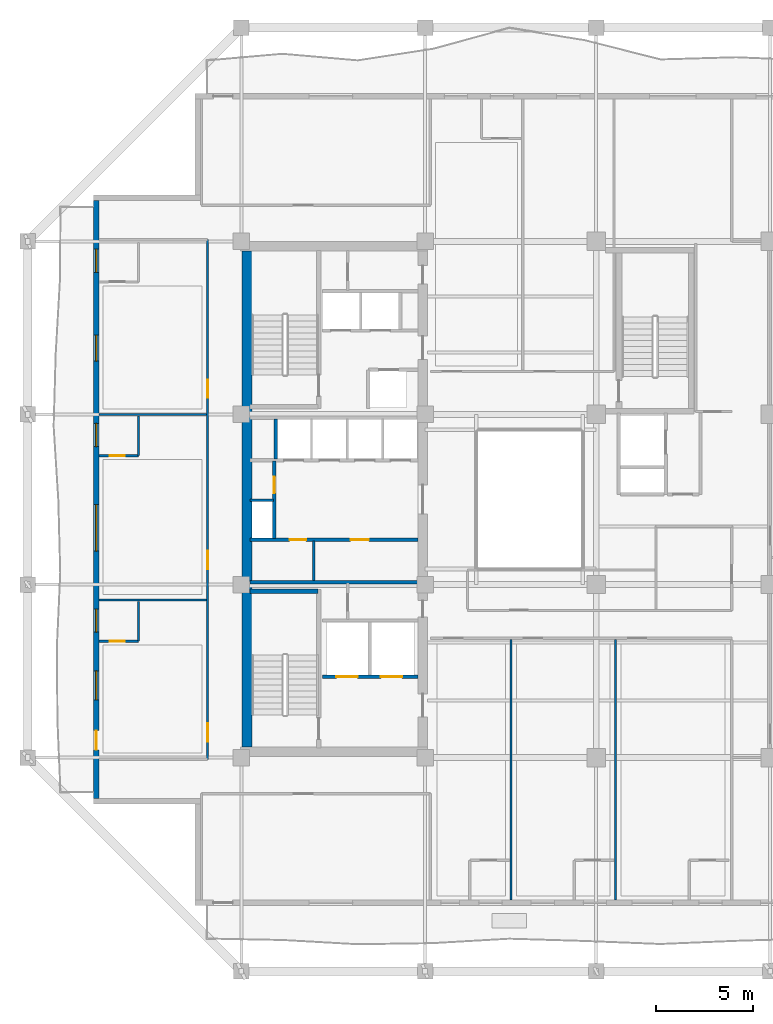
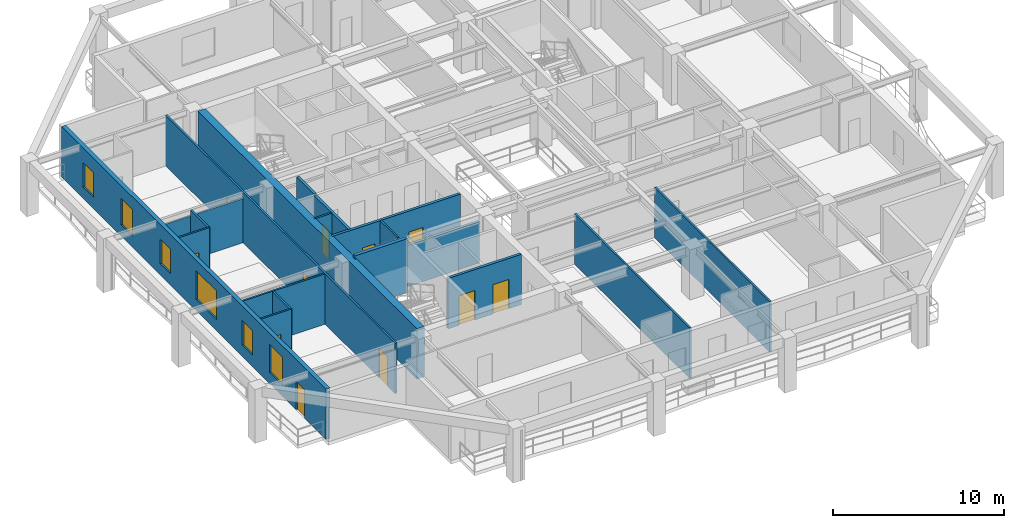
# One storey, part 3 of 13: 19 walls, 11 doors, 6 windows, 17 openings.
"""IFC4 building model written with IfcOpenShell, lengths in metres."""

from ifc_helpers import new_model, si_unit, direction, frame, frame_2d, origin, place, context, subcontext, project, spatial, rectangle, extrude, material, layer, layer_set, type_object, element, fill, save


model = new_model("IFC4")

# Units and contexts
model_context = context("Model", 3, precision=1e-05, world=origin(), true_north=direction((0.0, 1.0)))
body_context = subcontext(model_context, "Body", "Model", "MODEL_VIEW")
ifc_project = project(units=[si_unit("LENGTHUNIT", "METRE"), si_unit("AREAUNIT", "SQUARE_METRE"), si_unit("VOLUMEUNIT", "CUBIC_METRE"), si_unit("PLANEANGLEUNIT", "RADIAN"), si_unit("MASSUNIT", "GRAM", prefix="KILO")], contexts=[model_context])

# Site, building, storey
site_placement = place(None, origin())
site = spatial("IfcSite", under=ifc_project, at=site_placement, CompositionType="ELEMENT")
building_placement = place(site_placement, origin())
building = spatial("IfcBuilding", under=site, at=building_placement, Name="Kundavana Baori Tower", CompositionType="ELEMENT")
storey_placement = place(building_placement, frame((0.0, 0.0, 181.0)))
storey = spatial("IfcBuildingStorey", under=building, at=storey_placement, Name="L44", CompositionType="ELEMENT", Elevation=181.0)

# Walls
ifc_material_1 = material(Name="Concrete C50/60", Category="concrete")
ifc_layer_1 = layer(ifc_material_1, 0.39990234375, Name="WL-CORE-400")
ifc_layer_set_1 = layer_set([ifc_layer_1], Name="Concrete C50/60")
wall_type_1 = type_object("IfcWallType", Name="WL-CORE-400", PredefinedType="SHEAR", material=ifc_layer_set_1)
wall_1_placement = place(storey_placement, frame((15.89990234375, 23.860107421875, 0.0), z_axis=(0.0, 0.0, 1.0), x_axis=(1.0, 0.0, 0.0)))
element("IfcWall", 1, at=wall_1_placement, inside=storey, type_object=wall_type_1, Name="WL-L44-ST1-N", PredefinedType="SHEAR", context=body_context, shape_type="SweptSolid", body=[
    extrude(rectangle(XDim=3.52001953125, YDim=0.239990234375, at=frame_2d((1.760009765625, 0.0))), origin(), (0.0, 0.0, 1.0), 3.85009765625),
])
ifc_material_2 = material(Name="Concrete C50/60", Category="concrete")
ifc_layer_2 = layer(ifc_material_2, 0.5, Name="WL-CORE-500")
ifc_layer_set_2 = layer_set([ifc_layer_2], Name="Concrete C50/60")
wall_type_2 = type_object("IfcWallType", Name="WL-CORE-500", PredefinedType="SHEAR", material=ifc_layer_set_2)
wall_2_placement = place(storey_placement, frame((15.739990234375, 15.81005859375, 0.0), z_axis=(0.0, 0.0, 1.0), x_axis=(0.0, 1.0, 0.0)))
element("IfcWall", 2, at=wall_2_placement, inside=storey, type_object=wall_type_2, Name="L44 Offset Core West Shear Wall", PredefinedType="SHEAR", context=body_context, shape_type="SweptSolid", body=[
    extrude(rectangle(XDim=25.6298828125, YDim=0.5, at=frame_2d((12.81494140625, 0.0))), origin(), (0.0, 0.0, 1.0), 3.60009765625),
])

# Wall, openings, door, windows
ifc_material_3 = material(Name="Red-Buff Dholpur Sandstone Cladding on Concrete C40/50", Category="masonry")
ifc_layer_3 = layer(ifc_material_3, 0.280029296875, Name="WL-EXT-SAND-280")
ifc_layer_set_3 = layer_set([ifc_layer_3], Name="Red-Buff Dholpur Sandstone Cladding on Concrete C40/50")
wall_type_3 = type_object("IfcWallType", Name="WL-EXT-SAND-280", PredefinedType="STANDARD", material=ifc_layer_set_3)
wall_3_placement = place(storey_placement, frame((7.93994140625, 44.070068359375, 0.0), z_axis=(0.0, 0.0, 1.0), x_axis=(0.0, -1.0, 0.0)))
wall_3 = element("IfcWall", 3, at=wall_3_placement, inside=storey, type_object=wall_type_3, Name="L44 Exterior Insulated Facade Wall 10", PredefinedType="STANDARD", context=body_context, shape_type="SweptSolid", body=[
    extrude(rectangle(XDim=30.940185546875, YDim=0.280029296875, at=frame_2d((15.47021484375, 0.0))), origin(), (0.0, 0.0, 1.0), 3.60009765625),
])
opening_1_placement = place(wall_3_placement, frame((27.419921875, 0.0, 0.0)))
opening_1 = element("IfcOpeningElement", 4, at=opening_1_placement, cuts=wall_3, Name="Opening BD-1", PredefinedType="OPENING", context=body_context, shape_type="SweptSolid", body=[
    extrude(rectangle(XDim=1.0, YDim=2.050048828125, at=frame_2d((0.5, 1.02490234375))), frame((0.0, 0.14990234375, 0.0), z_axis=(0.0, -1.0, 0.0), x_axis=(1.0, 0.0, 0.0)), (0.0, 0.0, 1.0), 0.300048828125),
])
opening_2_placement = place(wall_3_placement, frame((24.330078125, 0.0, 0.800048828125)))
opening_2 = element("IfcOpeningElement", 5, at=opening_2_placement, cuts=wall_3, Name="Opening W-02", PredefinedType="OPENING", context=body_context, shape_type="SweptSolid", body=[
    extrude(rectangle(XDim=1.5, YDim=2.0, at=frame_2d((0.75, 1.0))), frame((0.0, 0.14990234375, 0.0), z_axis=(0.0, -1.0, 0.0), x_axis=(1.0, 0.0, 0.0)), (0.0, 0.0, 1.0), 0.300048828125),
])
opening_3_placement = place(wall_3_placement, frame((21.135009765625, 0.0, 0.800048828125)))
opening_3 = element("IfcOpeningElement", 6, at=opening_3_placement, cuts=wall_3, Name="Opening W-03", PredefinedType="OPENING", context=body_context, shape_type="SweptSolid", body=[
    extrude(rectangle(XDim=1.199951171875, YDim=1.75, at=frame_2d((0.60009765625, 0.875))), frame((0.0, 0.14990234375, 0.0), z_axis=(0.0, -1.0, 0.0), x_axis=(1.0, 0.0, 0.0)), (0.0, 0.0, 1.0), 0.300048828125),
])
opening_4_placement = place(wall_3_placement, frame((15.735107421875, 0.0, 0.800048828125)))
opening_4 = element("IfcOpeningElement", 7, at=opening_4_placement, cuts=wall_3, Name="Opening W-04", PredefinedType="OPENING", context=body_context, shape_type="SweptSolid", body=[
    extrude(rectangle(XDim=2.39990234375, YDim=2.050048828125, at=frame_2d((1.199951171875, 1.02490234375))), frame((0.0, 0.14990234375, 0.0), z_axis=(0.0, -1.0, 0.0), x_axis=(1.0, 0.0, 0.0)), (0.0, 0.0, 1.0), 0.300048828125),
])
opening_5_placement = place(wall_3_placement, frame((11.534912109375, 0.0, 0.800048828125)))
opening_5 = element("IfcOpeningElement", 8, at=opening_5_placement, cuts=wall_3, Name="Opening W-03", PredefinedType="OPENING", context=body_context, shape_type="SweptSolid", body=[
    extrude(rectangle(XDim=1.199951171875, YDim=1.75, at=frame_2d((0.60009765625, 0.875))), frame((0.0, 0.14990234375, 0.0), z_axis=(0.0, -1.0, 0.0), x_axis=(1.0, 0.0, 0.0)), (0.0, 0.0, 1.0), 0.300048828125),
])
opening_6_placement = place(wall_3_placement, frame((6.969970703125, 0.0, 0.800048828125)))
opening_6 = element("IfcOpeningElement", 9, at=opening_6_placement, cuts=wall_3, Name="Opening W-07", PredefinedType="OPENING", context=body_context, shape_type="SweptSolid", body=[
    extrude(rectangle(XDim=1.35009765625, YDim=1.89990234375, at=frame_2d((0.675048828125, 0.949951171875))), frame((0.0, 0.14990234375, 0.0), z_axis=(0.0, -1.0, 0.0), x_axis=(1.0, 0.0, 0.0)), (0.0, 0.0, 1.0), 0.300048828125),
])
opening_7_placement = place(wall_3_placement, frame((2.52490234375, 0.0, 0.800048828125)))
opening_7 = element("IfcOpeningElement", 10, at=opening_7_placement, cuts=wall_3, Name="Opening W-03", PredefinedType="OPENING", context=body_context, shape_type="SweptSolid", body=[
    extrude(rectangle(XDim=1.199951171875, YDim=1.75, at=frame_2d((0.60009765625, 0.875))), frame((0.0, 0.14990234375, 0.0), z_axis=(0.0, -1.0, 0.0), x_axis=(1.0, 0.0, 0.0)), (0.0, 0.0, 1.0), 0.300048828125),
])
ifc_material_4 = material(Name="Architectural Patinated Bronze Metalwork")
door_type_1 = type_object("IfcDoorType", Name="DR-EXT-LOG-1000", OperationType="NOTDEFINED", PredefinedType="DOOR", material=ifc_material_4)
door_1_placement = place(opening_1_placement, frame((1.0, 0.0, 0.0), z_axis=(0.0, 0.0, 1.0), x_axis=(-1.0, 0.0, 0.0)))
door_1 = element("IfcDoor", 11, at=door_1_placement, inside=storey, type_object=door_type_1, Name="L44 Loggia Balcony Access Door W", OperationType="SINGLE_SWING_RIGHT", OverallHeight=2.050048828125, OverallWidth=1.0, PredefinedType="DOOR", context=body_context, shape_type="SweptSolid", body=[
    extrude(rectangle(XDim=1.0, YDim=2.050048828125, at=frame_2d((0.5, 1.02490234375))), frame((0.0, 0.02490234375, 0.0), z_axis=(0.0, -1.0, 0.0), x_axis=(1.0, 0.0, 0.0)), (0.0, 0.0, 1.0), 0.050048828125),
])
fill(opening_1, door_1)
ifc_material_5 = material(Name="Double-Glazed Solar-Control Low-E Insulated Glass", Category="glass")
window_type_1 = type_object("IfcWindowType", Name="WIN-LOG-1200x1750", PartitioningType="SINGLE_PANEL", PredefinedType="WINDOW", material=ifc_material_5)
window_1_placement = place(opening_3_placement, origin())
window_1 = element("IfcWindow", 12, at=window_1_placement, inside=storey, type_object=window_type_1, Name="L44 Recessed Loggia Window W-2", OverallHeight=1.75, OverallWidth=1.199951171875, PartitioningType="SINGLE_PANEL", PredefinedType="WINDOW", context=body_context, shape_type="SweptSolid", body=[
    extrude(rectangle(XDim=1.199951171875, YDim=1.75, at=frame_2d((0.60009765625, 0.875))), frame((0.0, 0.030029296875, 0.0), z_axis=(0.0, -1.0, 0.0), x_axis=(1.0, 0.0, 0.0)), (0.0, 0.0, 1.0), 0.06005859375),
])
fill(opening_3, window_1)
window_2_placement = place(opening_5_placement, origin())
window_2 = element("IfcWindow", 13, at=window_2_placement, inside=storey, type_object=window_type_1, Name="L44 Recessed Loggia Window W-4", OverallHeight=1.75, OverallWidth=1.199951171875, PartitioningType="SINGLE_PANEL", PredefinedType="WINDOW", context=body_context, shape_type="SweptSolid", body=[
    extrude(rectangle(XDim=1.199951171875, YDim=1.75, at=frame_2d((0.60009765625, 0.875))), frame((0.0, 0.030029296875, 0.0), z_axis=(0.0, -1.0, 0.0), x_axis=(1.0, 0.0, 0.0)), (0.0, 0.0, 1.0), 0.06005859375),
])
fill(opening_5, window_2)
window_3_placement = place(opening_7_placement, origin())
window_3 = element("IfcWindow", 14, at=window_3_placement, inside=storey, type_object=window_type_1, Name="L44 Recessed Loggia Window W-6", OverallHeight=1.75, OverallWidth=1.199951171875, PartitioningType="SINGLE_PANEL", PredefinedType="WINDOW", context=body_context, shape_type="SweptSolid", body=[
    extrude(rectangle(XDim=1.199951171875, YDim=1.75, at=frame_2d((0.60009765625, 0.875))), frame((0.0, 0.030029296875, 0.0), z_axis=(0.0, -1.0, 0.0), x_axis=(1.0, 0.0, 0.0)), (0.0, 0.0, 1.0), 0.06005859375),
])
fill(opening_7, window_3)
ifc_material_6 = material(Name="Double-Glazed Solar-Control Low-E Insulated Glass", Category="glass")
window_type_2 = type_object("IfcWindowType", Name="WIN-LOG-1350x1900", PartitioningType="SINGLE_PANEL", PredefinedType="WINDOW", material=ifc_material_6)
window_4_placement = place(opening_6_placement, origin())
window_4 = element("IfcWindow", 15, at=window_4_placement, inside=storey, type_object=window_type_2, Name="L44 Recessed Loggia Window W-5", OverallHeight=1.89990234375, OverallWidth=1.35009765625, PartitioningType="SINGLE_PANEL", PredefinedType="WINDOW", context=body_context, shape_type="SweptSolid", body=[
    extrude(rectangle(XDim=1.35009765625, YDim=1.89990234375, at=frame_2d((0.675048828125, 0.949951171875))), frame((0.0, 0.030029296875, 0.0), z_axis=(0.0, -1.0, 0.0), x_axis=(1.0, 0.0, 0.0)), (0.0, 0.0, 1.0), 0.06005859375),
])
fill(opening_6, window_4)
ifc_material_7 = material(Name="Double-Glazed Solar-Control Low-E Insulated Glass", Category="glass")
window_type_3 = type_object("IfcWindowType", Name="WIN-LOG-1500x2000", PartitioningType="SINGLE_PANEL", PredefinedType="WINDOW", material=ifc_material_7)
window_5_placement = place(opening_2_placement, origin())
window_5 = element("IfcWindow", 16, at=window_5_placement, inside=storey, type_object=window_type_3, Name="L44 Recessed Loggia Window W-1", OverallHeight=2.0, OverallWidth=1.5, PartitioningType="SINGLE_PANEL", PredefinedType="WINDOW", context=body_context, shape_type="SweptSolid", body=[
    extrude(rectangle(XDim=1.5, YDim=2.0, at=frame_2d((0.75, 1.0))), frame((0.0, 0.030029296875, 0.0), z_axis=(0.0, -1.0, 0.0), x_axis=(1.0, 0.0, 0.0)), (0.0, 0.0, 1.0), 0.06005859375),
])
fill(opening_2, window_5)
ifc_material_8 = material(Name="Double-Glazed Solar-Control Low-E Insulated Glass", Category="glass")
window_type_4 = type_object("IfcWindowType", Name="WIN-LOG-2400x2050", PartitioningType="SINGLE_PANEL", PredefinedType="WINDOW", material=ifc_material_8)
window_6_placement = place(opening_4_placement, origin())
window_6 = element("IfcWindow", 17, at=window_6_placement, inside=storey, type_object=window_type_4, Name="L44 Recessed Loggia Window W-3", OverallHeight=2.050048828125, OverallWidth=2.39990234375, PartitioningType="SINGLE_PANEL", PredefinedType="WINDOW", context=body_context, shape_type="SweptSolid", body=[
    extrude(rectangle(XDim=2.39990234375, YDim=2.050048828125, at=frame_2d((1.199951171875, 1.02490234375))), frame((0.0, 0.030029296875, 0.0), z_axis=(0.0, -1.0, 0.0), x_axis=(1.0, 0.0, 0.0)), (0.0, 0.0, 1.0), 0.06005859375),
])
fill(opening_4, window_6)

# Walls
ifc_material_9 = material(Name="Acoustic Gypsum Plasterboard on Galvanised Steel Studs", Category="steel")
ifc_layer_4 = layer(ifc_material_9, 0.1201171875, Name="WL-PART-120")
ifc_layer_set_4 = layer_set([ifc_layer_4], Name="Acoustic Gypsum Plasterboard on Galvanised Steel Studs")
wall_type_4 = type_object("IfcWallType", Name="WL-PART-120", PredefinedType="PARTITIONING", material=ifc_layer_set_4)
wall_4_placement = place(storey_placement, frame((19.199951171875, 24.419921875, 0.0), z_axis=(0.0, 0.0, 1.0), x_axis=(0.0, 1.0, 0.0)))
element("IfcWall", 18, at=wall_4_placement, inside=storey, type_object=wall_type_4, Name="WL-L44-FRLOW-DIV", PredefinedType="PARTITIONING", context=body_context, shape_type="SweptSolid", body=[
    extrude(rectangle(XDim=2.02001953125, YDim=0.1201171875, at=frame_2d((1.010009765625, 0.0))), origin(), (0.0, 0.0, 1.0), 3.60009765625),
])
wall_5_placement = place(storey_placement, frame((15.89990234375, 28.56005859375, 0.0), z_axis=(0.0, 0.0, 1.0), x_axis=(1.0, 0.0, 0.0)))
element("IfcWall", 19, at=wall_5_placement, inside=storey, type_object=wall_type_4, Name="WL-L44-RSRW-N", PredefinedType="PARTITIONING", context=body_context, shape_type="SweptSolid", body=[
    extrude(rectangle(XDim=1.2001953125, YDim=0.1201171875, at=frame_2d((0.60009765625, 0.0))), origin(), (0.0, 0.0, 1.0), 3.60009765625),
])

# Wall, openings, doors
wall_6_placement = place(storey_placement, frame((13.699951171875, 15.159912109375, 0.0), z_axis=(0.0, 0.0, 1.0), x_axis=(0.0, 1.0, 0.0)))
wall_6 = element("IfcWall", 20, at=wall_6_placement, inside=storey, type_object=wall_type_4, Name="WL-L44-HW", PredefinedType="PARTITIONING", context=body_context, shape_type="SweptSolid", body=[
    extrude(rectangle(XDim=26.880126953125, YDim=0.1201171875, at=frame_2d((13.43994140625, 0.0))), origin(), (0.0, 0.0, 1.0), 3.60009765625),
])
opening_8_placement = place(wall_6_placement, frame((0.909912109375, 0.0, 0.0)))
opening_8 = element("IfcOpeningElement", 21, at=opening_8_placement, cuts=wall_6, Name="Opening FD-095", PredefinedType="OPENING", context=body_context, shape_type="SweptSolid", body=[
    extrude(rectangle(XDim=0.949951171875, YDim=2.10009765625, at=frame_2d((0.47509765625, 1.050048828125))), frame((0.0, 0.070068359375, 0.0), z_axis=(0.0, -1.0, 0.0), x_axis=(1.0, 0.0, 0.0)), (0.0, 0.0, 1.0), 0.14013671875),
])
opening_9_placement = place(wall_6_placement, frame((9.840087890625, 0.0, 0.0)))
opening_9 = element("IfcOpeningElement", 22, at=opening_9_placement, cuts=wall_6, Name="Opening FD-095", PredefinedType="OPENING", context=body_context, shape_type="SweptSolid", body=[
    extrude(rectangle(XDim=0.949951171875, YDim=2.10009765625, at=frame_2d((0.47509765625, 1.050048828125))), frame((0.0, 0.070068359375, 0.0), z_axis=(0.0, -1.0, 0.0), x_axis=(1.0, 0.0, 0.0)), (0.0, 0.0, 1.0), 0.14013671875),
])
opening_10_placement = place(wall_6_placement, frame((18.68994140625, 0.0, 0.0)))
opening_10 = element("IfcOpeningElement", 23, at=opening_10_placement, cuts=wall_6, Name="Opening FD-095", PredefinedType="OPENING", context=body_context, shape_type="SweptSolid", body=[
    extrude(rectangle(XDim=0.949951171875, YDim=2.10009765625, at=frame_2d((0.47509765625, 1.050048828125))), frame((0.0, 0.070068359375, 0.0), z_axis=(0.0, -1.0, 0.0), x_axis=(1.0, 0.0, 0.0)), (0.0, 0.0, 1.0), 0.14013671875),
])
ifc_material_10 = material(Name="Engineered Teak Fire-Rated Timber Door Leaf", Category="wood")
door_type_2 = type_object("IfcDoorType", Name="DR-FD60-950", OperationType="NOTDEFINED", PredefinedType="DOOR", material=ifc_material_10)
door_2_placement = place(opening_8_placement, origin())
door_2 = element("IfcDoor", 24, at=door_2_placement, inside=storey, type_object=door_type_2, Name="DR-L44-HK-W1-ENT", OperationType="SINGLE_SWING_LEFT", OverallHeight=2.10009765625, OverallWidth=0.949951171875, PredefinedType="DOOR", context=body_context, shape_type="SweptSolid", body=[
    extrude(rectangle(XDim=0.949951171875, YDim=2.10009765625, at=frame_2d((0.47509765625, 1.050048828125))), frame((0.0, 0.02490234375, 0.0), z_axis=(0.0, -1.0, 0.0), x_axis=(1.0, 0.0, 0.0)), (0.0, 0.0, 1.0), 0.050048828125),
])
fill(opening_8, door_2)
door_3_placement = place(opening_9_placement, origin())
door_3 = element("IfcDoor", 25, at=door_3_placement, inside=storey, type_object=door_type_2, Name="DR-L44-HK-W2-ENT", OperationType="SINGLE_SWING_LEFT", OverallHeight=2.10009765625, OverallWidth=0.949951171875, PredefinedType="DOOR", context=body_context, shape_type="SweptSolid", body=[
    extrude(rectangle(XDim=0.949951171875, YDim=2.10009765625, at=frame_2d((0.47509765625, 1.050048828125))), frame((0.0, 0.02490234375, 0.0), z_axis=(0.0, -1.0, 0.0), x_axis=(1.0, 0.0, 0.0)), (0.0, 0.0, 1.0), 0.050048828125),
])
fill(opening_9, door_3)
door_4_placement = place(opening_10_placement, origin())
door_4 = element("IfcDoor", 26, at=door_4_placement, inside=storey, type_object=door_type_2, Name="DR-L44-HK-W3-ENT", OperationType="SINGLE_SWING_LEFT", OverallHeight=2.10009765625, OverallWidth=0.949951171875, PredefinedType="DOOR", context=body_context, shape_type="SweptSolid", body=[
    extrude(rectangle(XDim=0.949951171875, YDim=2.10009765625, at=frame_2d((0.47509765625, 1.050048828125))), frame((0.0, 0.02490234375, 0.0), z_axis=(0.0, -1.0, 0.0), x_axis=(1.0, 0.0, 0.0)), (0.0, 0.0, 1.0), 0.050048828125),
])
fill(opening_10, door_4)

# Walls
wall_7_placement = place(storey_placement, frame((8.080078125, 23.39990234375, 0.0), z_axis=(0.0, 0.0, 1.0), x_axis=(1.0, 0.0, 0.0)))
element("IfcWall", 27, at=wall_7_placement, inside=storey, type_object=wall_type_4, Name="WL-L44-HWD1", PredefinedType="PARTITIONING", context=body_context, shape_type="SweptSolid", body=[
    extrude(rectangle(XDim=5.559814453125, YDim=0.1201171875, at=frame_2d((2.77978515625, 0.0))), origin(), (0.0, 0.0, 1.0), 3.60009765625),
])
wall_8_placement = place(storey_placement, frame((8.080078125, 33.0, 0.0), z_axis=(0.0, 0.0, 1.0), x_axis=(1.0, 0.0, 0.0)))
element("IfcWall", 28, at=wall_8_placement, inside=storey, type_object=wall_type_4, Name="WL-L44-HWD2", PredefinedType="PARTITIONING", context=body_context, shape_type="SweptSolid", body=[
    extrude(rectangle(XDim=5.559814453125, YDim=0.1201171875, at=frame_2d((2.77978515625, 0.0))), origin(), (0.0, 0.0, 1.0), 3.14990234375),
])
for number, where, z_axis, x_axis, name in (
    (29, (29.39990234375, 7.8798828125, 0.0), (0.0, 0.0, 1.0), (0.0, 1.0, 0.0), "WL-L44-HSD1"),
    (30, (34.800048828125, 7.8798828125, 0.0), (0.0, 0.0, 1.0), (0.0, 1.0, 0.0), "WL-L44-HSD2"),
):
    element("IfcWall", number, at=place(storey_placement, frame(where, z_axis=z_axis, x_axis=x_axis)), inside=storey, type_object=wall_type_4, Name=name, PredefinedType="PARTITIONING", context=body_context, shape_type="SweptSolid", body=[
        extrude(rectangle(XDim=13.480224609375, YDim=0.1201171875, at=frame_2d((6.740234375, 0.0))), origin(), (0.0, 0.0, 1.0), 3.60009765625),
    ])

# Wall, openings, doors
ifc_material_11 = material(Name="Autoclaved Aerated Concrete Blockwork Masonry", Category="masonry")
ifc_layer_5 = layer(ifc_material_11, 0.179931640625, Name="WL-SHAFT-180")
ifc_layer_set_5 = layer_set([ifc_layer_5], Name="Autoclaved Aerated Concrete Blockwork Masonry")
wall_type_5 = type_object("IfcWallType", Name="WL-SHAFT-180", PredefinedType="SOLIDWALL", material=ifc_layer_set_5)
wall_9_placement = place(storey_placement, frame((19.639892578125, 19.419921875, 0.0), z_axis=(0.0, 0.0, 1.0), x_axis=(1.0, 0.0, 0.0)))
wall_9 = element("IfcWall", 31, at=wall_9_placement, inside=storey, type_object=wall_type_5, Name="WL-L44-FFL-S", PredefinedType="SOLIDWALL", context=body_context, shape_type="SweptSolid", body=[
    extrude(rectangle(XDim=4.940185546875, YDim=0.179931640625, at=frame_2d((2.47021484375, 0.0))), origin(), (0.0, 0.0, 1.0), 3.60009765625),
])
opening_11_placement = place(wall_9_placement, frame((0.719970703125, 0.0, 0.0)))
opening_11 = element("IfcOpeningElement", 32, at=opening_11_placement, cuts=wall_9, Name="Opening LD-110", PredefinedType="OPENING", context=body_context, shape_type="SweptSolid", body=[
    extrude(rectangle(XDim=1.10009765625, YDim=2.10009765625, at=frame_2d((0.550048828125, 1.050048828125))), frame((0.0, 0.10009765625, 0.0), z_axis=(0.0, -1.0, 0.0), x_axis=(1.0, 0.0, 0.0)), (0.0, 0.0, 1.0), 0.199951171875),
])
opening_12_placement = place(wall_9_placement, frame((3.02001953125, 0.0, 0.0)))
opening_12 = element("IfcOpeningElement", 33, at=opening_12_placement, cuts=wall_9, Name="Opening LD-110", PredefinedType="OPENING", context=body_context, shape_type="SweptSolid", body=[
    extrude(rectangle(XDim=1.10009765625, YDim=2.10009765625, at=frame_2d((0.550048828125, 1.050048828125))), frame((0.0, 0.10009765625, 0.0), z_axis=(0.0, -1.0, 0.0), x_axis=(1.0, 0.0, 0.0)), (0.0, 0.0, 1.0), 0.199951171875),
])
ifc_material_12 = material(Name="Galvanised Steel Fire-Rated Door Leaf", Category="steel")
door_type_3 = type_object("IfcDoorType", Name="DR-SLIDE-LD1100", OperationType="NOTDEFINED", PredefinedType="DOOR", material=ifc_material_12)
door_5_placement = place(opening_11_placement, origin())
door_5 = element("IfcDoor", 34, at=door_5_placement, inside=storey, type_object=door_type_3, Name="DR-L44-LD-FFL-1", OperationType="DOUBLE_DOOR_SLIDING", OverallHeight=2.10009765625, OverallWidth=1.10009765625, PredefinedType="DOOR", context=body_context, shape_type="SweptSolid", body=[
    extrude(rectangle(XDim=1.10009765625, YDim=2.10009765625, at=frame_2d((0.550048828125, 1.050048828125))), frame((0.0, 0.02490234375, 0.0), z_axis=(0.0, -1.0, 0.0), x_axis=(1.0, 0.0, 0.0)), (0.0, 0.0, 1.0), 0.050048828125),
])
fill(opening_11, door_5)
door_6_placement = place(opening_12_placement, origin())
door_6 = element("IfcDoor", 35, at=door_6_placement, inside=storey, type_object=door_type_3, Name="DR-L44-LD-FFL-2", OperationType="DOUBLE_DOOR_SLIDING", OverallHeight=2.10009765625, OverallWidth=1.10009765625, PredefinedType="DOOR", context=body_context, shape_type="SweptSolid", body=[
    extrude(rectangle(XDim=1.10009765625, YDim=2.10009765625, at=frame_2d((0.550048828125, 1.050048828125))), frame((0.0, 0.02490234375, 0.0), z_axis=(0.0, -1.0, 0.0), x_axis=(1.0, 0.0, 0.0)), (0.0, 0.0, 1.0), 0.050048828125),
])
fill(opening_12, door_6)

wall_10_placement = place(storey_placement, frame((15.89990234375, 26.52001953125, 0.0), z_axis=(0.0, 0.0, 1.0), x_axis=(1.0, 0.0, 0.0)))
wall_10 = element("IfcWall", 36, at=wall_10_placement, inside=storey, type_object=wall_type_5, Name="WL-L44-LPLOW-N", PredefinedType="SOLIDWALL", context=body_context, shape_type="SweptSolid", body=[
    extrude(rectangle(XDim=8.68017578125, YDim=0.179931640625, at=frame_2d((4.340087890625, 0.0))), origin(), (0.0, 0.0, 1.0), 3.60009765625),
])
opening_13_placement = place(wall_10_placement, frame((2.050048828125, 0.0, 0.0)))
opening_13 = element("IfcOpeningElement", 37, at=opening_13_placement, cuts=wall_10, Name="Opening FD-085", PredefinedType="OPENING", context=body_context, shape_type="SweptSolid", body=[
    extrude(rectangle(XDim=0.85009765625, YDim=2.06005859375, at=frame_2d((0.425048828125, 1.030029296875))), frame((0.0, 0.10009765625, 0.0), z_axis=(0.0, -1.0, 0.0), x_axis=(1.0, 0.0, 0.0)), (0.0, 0.0, 1.0), 0.199951171875),
])
opening_14_placement = place(wall_10_placement, frame((5.199951171875, 0.0, 0.0)))
opening_14 = element("IfcOpeningElement", 38, at=opening_14_placement, cuts=wall_10, Name="Opening FD-095", PredefinedType="OPENING", context=body_context, shape_type="SweptSolid", body=[
    extrude(rectangle(XDim=0.949951171875, YDim=2.10009765625, at=frame_2d((0.47509765625, 1.050048828125))), frame((0.0, 0.10009765625, 0.0), z_axis=(0.0, -1.0, 0.0), x_axis=(1.0, 0.0, 0.0)), (0.0, 0.0, 1.0), 0.199951171875),
])
ifc_material_13 = material(Name="Galvanised Steel Fire-Rated Door Leaf", Category="steel")
door_type_4 = type_object("IfcDoorType", Name="DR-FD60-850", OperationType="NOTDEFINED", PredefinedType="DOOR", material=ifc_material_13)
door_7_placement = place(opening_13_placement, origin())
door_7 = element("IfcDoor", 39, at=door_7_placement, inside=storey, type_object=door_type_4, Name="DR-L44-FRLOW1", OperationType="SINGLE_SWING_LEFT", OverallHeight=2.06005859375, OverallWidth=0.85009765625, PredefinedType="DOOR", context=body_context, shape_type="SweptSolid", body=[
    extrude(rectangle(XDim=0.85009765625, YDim=2.06005859375, at=frame_2d((0.425048828125, 1.030029296875))), frame((0.0, 0.02490234375, 0.0), z_axis=(0.0, -1.0, 0.0), x_axis=(1.0, 0.0, 0.0)), (0.0, 0.0, 1.0), 0.050048828125),
])
fill(opening_13, door_7)
door_8_placement = place(opening_14_placement, origin())
door_8 = element("IfcDoor", 40, at=door_8_placement, inside=storey, type_object=door_type_2, Name="DR-L44-FRLOW2", OperationType="SINGLE_SWING_RIGHT", OverallHeight=2.10009765625, OverallWidth=0.949951171875, PredefinedType="DOOR", context=body_context, shape_type="SweptSolid", body=[
    extrude(rectangle(XDim=0.949951171875, YDim=2.10009765625, at=frame_2d((0.47509765625, 1.050048828125))), frame((0.0, 0.02490234375, 0.0), z_axis=(0.0, -1.0, 0.0), x_axis=(1.0, 0.0, 0.0)), (0.0, 0.0, 1.0), 0.050048828125),
])
fill(opening_14, door_8)

# Wall
wall_11_placement = place(storey_placement, frame((15.89990234375, 24.330078125, 0.0), z_axis=(0.0, 0.0, 1.0), x_axis=(1.0, 0.0, 0.0)))
element("IfcWall", 41, at=wall_11_placement, inside=storey, type_object=wall_type_5, Name="WL-L44-LPLOW-S", PredefinedType="SOLIDWALL", context=body_context, shape_type="SweptSolid", body=[
    extrude(rectangle(XDim=8.68017578125, YDim=0.179931640625, at=frame_2d((4.340087890625, 0.0))), origin(), (0.0, 0.0, 1.0), 2.949951171875),
])

# Wall, opening, door
wall_12_placement = place(storey_placement, frame((17.159912109375, 26.580078125, 0.0), z_axis=(0.0, 0.0, 1.0), x_axis=(0.0, 1.0, 0.0)))
wall_12 = element("IfcWall", 42, at=wall_12_placement, inside=storey, type_object=wall_type_5, Name="WL-L44-RSRW-E", PredefinedType="SOLIDWALL", context=body_context, shape_type="SweptSolid", body=[
    extrude(rectangle(XDim=4.02001953125, YDim=0.179931640625, at=frame_2d((2.010009765625, 0.0))), origin(), (0.0, 0.0, 1.0), 3.60009765625),
])
opening_15_placement = place(wall_12_placement, frame((2.35009765625, 0.0, 0.0)))
opening_15 = element("IfcOpeningElement", 43, at=opening_15_placement, cuts=wall_12, Name="Opening FD-085", PredefinedType="OPENING", context=body_context, shape_type="SweptSolid", body=[
    extrude(rectangle(XDim=0.85009765625, YDim=2.06005859375, at=frame_2d((0.425048828125, 1.030029296875))), frame((0.0, 0.10009765625, 0.0), z_axis=(0.0, -1.0, 0.0), x_axis=(1.0, 0.0, 0.0)), (0.0, 0.0, 1.0), 0.199951171875),
])
door_9_placement = place(opening_15_placement, origin())
door_9 = element("IfcDoor", 44, at=door_9_placement, inside=storey, type_object=door_type_4, Name="DR-L44-CLN", OperationType="SINGLE_SWING_RIGHT", OverallHeight=2.06005859375, OverallWidth=0.85009765625, PredefinedType="DOOR", context=body_context, shape_type="SweptSolid", body=[
    extrude(rectangle(XDim=0.85009765625, YDim=2.06005859375, at=frame_2d((0.425048828125, 1.030029296875))), frame((0.0, 0.02490234375, 0.0), z_axis=(0.0, -1.0, 0.0), x_axis=(1.0, 0.0, 0.0)), (0.0, 0.0, 1.0), 0.050048828125),
])
fill(opening_15, door_9)

# Walls
wall_13_placement = place(storey_placement, frame((17.219970703125, 30.699951171875, 0.0), z_axis=(0.0, 0.0, 1.0), x_axis=(0.0, 1.0, 0.0)))
element("IfcWall", 45, at=wall_13_placement, inside=storey, type_object=wall_type_5, Name="WL-L44-LPMID-W", PredefinedType="SOLIDWALL", context=body_context, shape_type="SweptSolid", body=[
    extrude(rectangle(XDim=2.050048828125, YDim=0.179931640625, at=frame_2d((1.02490234375, 0.0))), origin(), (0.0, 0.0, 1.0), 3.60009765625),
])
ifc_material_14 = material(Name="Autoclaved Aerated Concrete Blockwork Masonry", Category="masonry")
ifc_layer_6 = layer(ifc_material_14, 0.125, Name="WL-WET-120")
ifc_layer_set_6 = layer_set([ifc_layer_6], Name="Autoclaved Aerated Concrete Blockwork Masonry")
wall_type_6 = type_object("IfcWallType", Name="WL-WET-120", PredefinedType="PLUMBINGWALL", material=ifc_layer_set_6)
wall_14_placement = place(storey_placement, frame((10.1298828125, 21.27001953125, 0.0), z_axis=(0.0, 0.0, 1.0), x_axis=(0.0, 1.0, 0.0)))
element("IfcWall", 46, at=wall_14_placement, inside=storey, type_object=wall_type_6, Name="WL-L44-HK-W1-BE", PredefinedType="PLUMBINGWALL", context=body_context, shape_type="SweptSolid", body=[
    extrude(rectangle(XDim=2.050048828125, YDim=0.125, at=frame_2d((1.02490234375, 0.0))), origin(), (0.0, 0.0, 1.0), 3.60009765625),
])

# Wall, opening, door
wall_15_placement = place(storey_placement, frame((8.080078125, 21.27001953125, 0.0), z_axis=(0.0, 0.0, 1.0), x_axis=(1.0, 0.0, 0.0)))
wall_15 = element("IfcWall", 47, at=wall_15_placement, inside=storey, type_object=wall_type_6, Name="WL-L44-HK-W1-BS", PredefinedType="PLUMBINGWALL", context=body_context, shape_type="SweptSolid", body=[
    extrude(rectangle(XDim=2.0498046875, YDim=0.125, at=frame_2d((1.02490234375, 0.0))), origin(), (0.0, 0.0, 1.0), 3.60009765625),
])
opening_16_placement = place(wall_15_placement, frame((0.550048828125, 0.0, 0.0)))
opening_16 = element("IfcOpeningElement", 48, at=opening_16_placement, cuts=wall_15, Name="Opening WD-080", PredefinedType="OPENING", context=body_context, shape_type="SweptSolid", body=[
    extrude(rectangle(XDim=0.800048828125, YDim=2.050048828125, at=frame_2d((0.39990234375, 1.02490234375))), frame((0.0, 0.072509765625, 0.0), z_axis=(0.0, -1.0, 0.0), x_axis=(1.0, 0.0, 0.0)), (0.0, 0.0, 1.0), 0.14501953125),
])
ifc_material_15 = material(Name="Engineered Teak Solid-Core Timber Veneer", Category="wood")
door_type_5 = type_object("IfcDoorType", Name="DR-WET-800", OperationType="NOTDEFINED", PredefinedType="DOOR", material=ifc_material_15)
door_10_placement = place(opening_16_placement, frame((0.800048828125, 0.0, 0.0), z_axis=(0.0, 0.0, 1.0), x_axis=(-1.0, 0.0, 0.0)))
door_10 = element("IfcDoor", 49, at=door_10_placement, inside=storey, type_object=door_type_5, Name="DR-L44-HK-W1-ENS", OperationType="SINGLE_SWING_LEFT", OverallHeight=2.050048828125, OverallWidth=0.800048828125, PredefinedType="DOOR", context=body_context, shape_type="SweptSolid", body=[
    extrude(rectangle(XDim=0.800048828125, YDim=2.050048828125, at=frame_2d((0.39990234375, 1.02490234375))), frame((0.0, 0.02490234375, 0.0), z_axis=(0.0, -1.0, 0.0), x_axis=(1.0, 0.0, 0.0)), (0.0, 0.0, 1.0), 0.050048828125),
])
fill(opening_16, door_10)

# Wall
wall_16_placement = place(storey_placement, frame((10.1298828125, 30.8701171875, 0.0), z_axis=(0.0, 0.0, 1.0), x_axis=(0.0, 1.0, 0.0)))
element("IfcWall", 50, at=wall_16_placement, inside=storey, type_object=wall_type_6, Name="WL-L44-HK-W2-BE", PredefinedType="PLUMBINGWALL", context=body_context, shape_type="SweptSolid", body=[
    extrude(rectangle(XDim=2.0498046875, YDim=0.125, at=frame_2d((1.02490234375, 0.0))), origin(), (0.0, 0.0, 1.0), 3.60009765625),
])

# Wall, opening, door
wall_17_placement = place(storey_placement, frame((8.080078125, 30.8701171875, 0.0), z_axis=(0.0, 0.0, 1.0), x_axis=(1.0, 0.0, 0.0)))
wall_17 = element("IfcWall", 51, at=wall_17_placement, inside=storey, type_object=wall_type_6, Name="WL-L44-HK-W2-BS", PredefinedType="PLUMBINGWALL", context=body_context, shape_type="SweptSolid", body=[
    extrude(rectangle(XDim=2.0498046875, YDim=0.125, at=frame_2d((1.02490234375, 0.0))), origin(), (0.0, 0.0, 1.0), 3.60009765625),
])
opening_17_placement = place(wall_17_placement, frame((0.550048828125, 0.0, 0.0)))
opening_17 = element("IfcOpeningElement", 52, at=opening_17_placement, cuts=wall_17, Name="Opening WD-080", PredefinedType="OPENING", context=body_context, shape_type="SweptSolid", body=[
    extrude(rectangle(XDim=0.800048828125, YDim=2.050048828125, at=frame_2d((0.39990234375, 1.02490234375))), frame((0.0, 0.072509765625, 0.0), z_axis=(0.0, -1.0, 0.0), x_axis=(1.0, 0.0, 0.0)), (0.0, 0.0, 1.0), 0.14501953125),
])
door_11_placement = place(opening_17_placement, frame((0.800048828125, 0.0, 0.0), z_axis=(0.0, 0.0, 1.0), x_axis=(-1.0, 0.0, 0.0)))
door_11 = element("IfcDoor", 53, at=door_11_placement, inside=storey, type_object=door_type_5, Name="DR-L44-HK-W2-ENS", OperationType="SINGLE_SWING_LEFT", OverallHeight=2.050048828125, OverallWidth=0.800048828125, PredefinedType="DOOR", context=body_context, shape_type="SweptSolid", body=[
    extrude(rectangle(XDim=0.800048828125, YDim=2.050048828125, at=frame_2d((0.39990234375, 1.02490234375))), frame((0.0, 0.02490234375, 0.0), z_axis=(0.0, -1.0, 0.0), x_axis=(1.0, 0.0, 0.0)), (0.0, 0.0, 1.0), 0.050048828125),
])
fill(opening_17, door_11)

save(model, "model.ifc")
